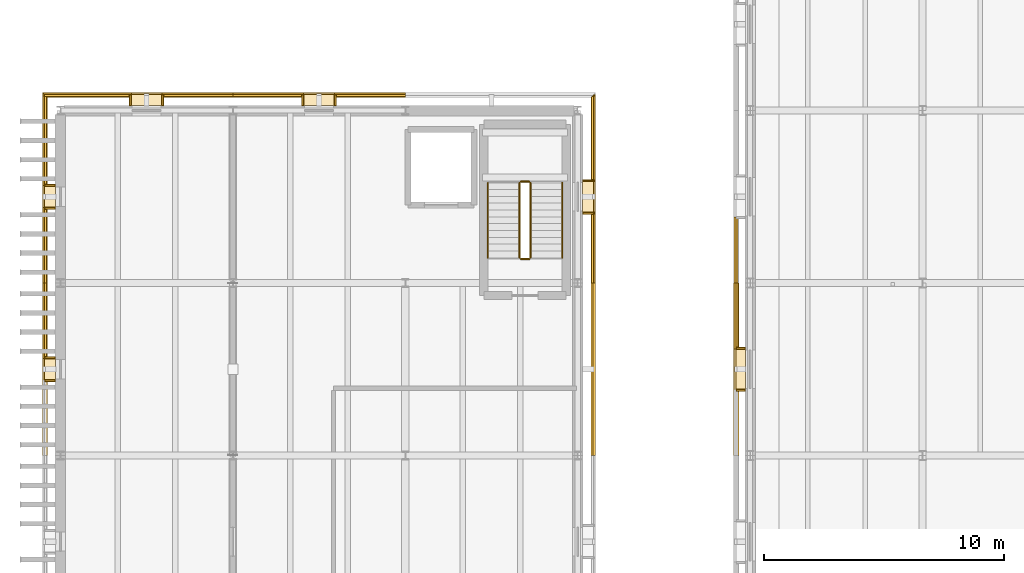
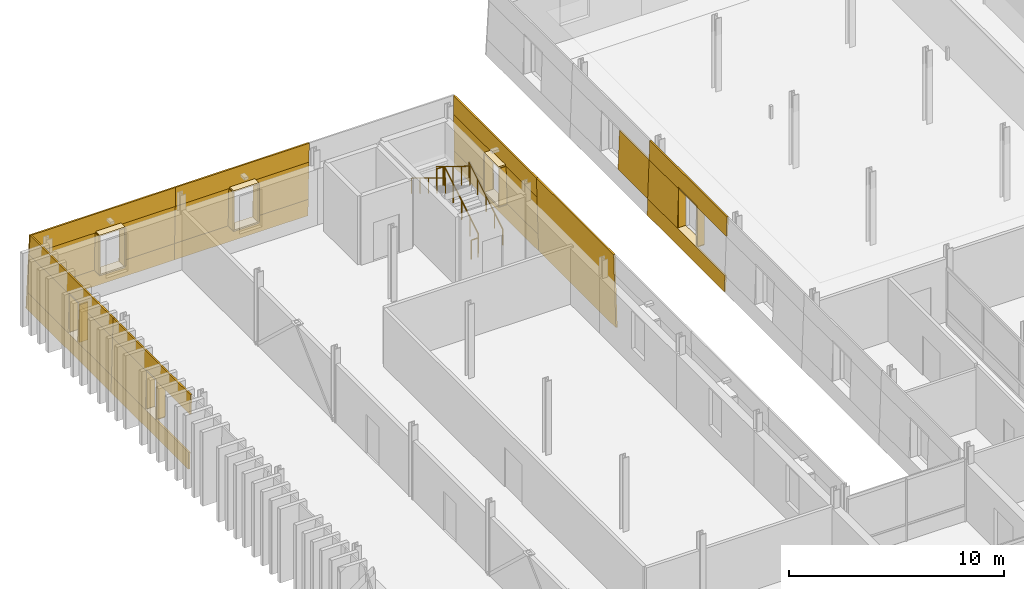
# One storey, part 102 of 115: 48 coverings, 6 railings.
"""IFC4 building model written with IfcOpenShell, lengths in metres."""

from ifc_helpers import new_model, si_unit, direction, frame, origin, origin_2d, place, context, subcontext, project, spatial, polyline, circle, outline, extrude, material, layer, layer_set, type_object, element, save


model = new_model("IFC4")

# Units and contexts
model_context = context("Model", 3, precision=1e-05, world=origin(), true_north=direction((0.0, 1.0)))
body_context = subcontext(model_context, "Body", "Model", "MODEL_VIEW")
ifc_project = project(units=[si_unit("LENGTHUNIT", "METRE"), si_unit("AREAUNIT", "SQUARE_METRE"), si_unit("VOLUMEUNIT", "CUBIC_METRE"), si_unit("PLANEANGLEUNIT", "RADIAN"), si_unit("MASSUNIT", "GRAM", prefix="KILO")], contexts=[model_context])

# Site, building, storey
site_placement = place(None, origin())
site = spatial("IfcSite", under=ifc_project, at=site_placement, CompositionType="ELEMENT")
building_placement = place(site_placement, origin())
building = spatial("IfcBuilding", under=site, at=building_placement, Name="Narikvali Park Central Library", CompositionType="ELEMENT")
storey_placement = place(building_placement, frame((0.0, 0.0, 10.199951171875)))
storey = spatial("IfcBuildingStorey", under=building, at=storey_placement, Name="L02", CompositionType="ELEMENT", Elevation=10.199951171875)

# Coverings
ifc_material_1 = material(Name="White Honed Limestone Cladding", Category="masonry")
ifc_layer_1 = layer(ifc_material_1, 0.0849609375, Name="White Honed Limestone Cladding")
ifc_layer_set_1 = layer_set([ifc_layer_1], Name="White Honed Limestone Cladding")
covering_type_1 = type_object("IfcCoveringType", Name="Battered White Limestone Facade Cladding Panel", PredefinedType="CLADDING", material=ifc_layer_set_1)
covering_1_placement = place(storey_placement, frame((28.134521484375, 103.56005859375, 0.920166015625), z_axis=(-0.999431408105, 0.0, 0.033717361898), x_axis=(0.0, -1.0, 0.0)))
element("IfcCovering", 1, at=covering_1_placement, inside=storey, type_object=covering_type_1, Name="V4 L02 W Battered Limestone Jamb Pier R B02", PredefinedType="CLADDING", context=body_context, shape_type="SweptSolid", body=[
    extrude(outline(polyline([(0.0, 0.0), (2.760009765625, 0.0), (2.760009765625, 2.2012027579225295), (0.0, 2.2012027579225295), (0.0, 0.0)])), origin(), (0.0, 0.0, -1.0), 0.0849609375),
])
covering_2_placement = place(storey_placement, frame((28.103515625, 100.800048828125, 0.0), z_axis=(-0.999432774777, 0.0, 0.03367682738), x_axis=(0.0, -1.0, 0.0)))
element("IfcCovering", 2, at=covering_2_placement, inside=storey, type_object=covering_type_1, Name="V4 L02 W Battered Limestone Spandrel B03", PredefinedType="CLADDING", context=body_context, shape_type="SweptSolid", body=[
    extrude(outline(polyline([(0.0, 0.0), (7.199951171875, 0.0), (7.199951171875, 0.9206882532251458), (0.0, 0.9206882532251458), (0.0, 0.0)])), origin(), (0.0, 0.0, -1.0), 0.0849609375),
])
covering_3_placement = place(storey_placement, frame((28.208740234375, 100.800048828125, 3.1201171875), z_axis=(-0.999433057245, 0.0, 0.033668443484), x_axis=(0.0, -1.0, 0.0)))
element("IfcCovering", 3, at=covering_3_placement, inside=storey, type_object=covering_type_1, Name="V4 L02 W Battered Limestone Lintel B03", PredefinedType="CLADDING", context=body_context, shape_type="SweptSolid", body=[
    extrude(outline(polyline([(0.0, 0.0), (7.199951171875, 0.0), (7.199951171875, 1.0804465357109745), (0.0, 1.0804465357109745), (0.0, 0.0)])), origin(), (0.0, 0.0, -1.0), 0.0849609375),
])
covering_4_placement = place(storey_placement, frame((28.134521484375, 100.800048828125, 0.920166015625), z_axis=(-0.999431408105, 0.0, 0.033717361898), x_axis=(0.0, -1.0, 0.0)))
element("IfcCovering", 4, at=covering_4_placement, inside=storey, type_object=covering_type_1, Name="V4 L02 W Battered Limestone Jamb Pier L B03", PredefinedType="CLADDING", context=body_context, shape_type="SweptSolid", body=[
    extrude(outline(polyline([(0.0, 0.0), (2.760009765625, 0.0), (2.760009765625, 2.2012027579225295), (0.0, 2.2012027579225295), (0.0, 0.0)])), origin(), (0.0, 0.0, -1.0), 0.0849609375),
])
covering_5_placement = place(storey_placement, frame((22.3505859375, 93.60009765625, 0.0), z_axis=(0.999597895197, 0.0, 0.0283557387), x_axis=(0.0, 1.0, 0.0)))
element("IfcCovering", 5, at=covering_5_placement, inside=storey, type_object=covering_type_1, Name="V5 L02 E Battered Limestone Panel B10", PredefinedType="CLADDING", context=body_context, shape_type="SweptSolid", body=[
    extrude(outline(polyline([(0.0, 0.0), (7.199951171875, 0.0), (7.199951171875, 4.201640671768538), (0.0, 4.201640671768538), (0.0, 0.0)])), origin(), (0.0, 0.0, -1.0), 0.0849609375),
])
covering_6_placement = place(storey_placement, frame((22.3505859375, 100.800048828125, 0.0), z_axis=(0.999600632529, 0.0, 0.02825907725), x_axis=(0.0, 1.0, 0.0)))
element("IfcCovering", 6, at=covering_6_placement, inside=storey, type_object=covering_type_1, Name="V5 L02 E Battered Limestone Spandrel B11", PredefinedType="CLADDING", context=body_context, shape_type="SweptSolid", body=[
    extrude(outline(polyline([(0.0, 0.0), (7.865478515625, 0.0), (7.838623046875, 0.950330703044192), (0.0, 0.950330703044192), (0.0, 0.0)])), origin(), (0.0, 0.0, -1.0), 0.0849609375),
])
covering_7_placement = place(storey_placement, frame((22.2626953125, 100.800048828125, 3.10009765625), z_axis=(0.999596598509, 0.0, 0.028401412788), x_axis=(0.0, 1.0, 0.0)))
element("IfcCovering", 7, at=covering_7_placement, inside=storey, type_object=covering_type_1, Name="V5 L02 E Battered Limestone Lintel B11", PredefinedType="CLADDING", context=body_context, shape_type="SweptSolid", body=[
    extrude(outline(polyline([(0.0, 0.0), (7.777587890625, 0.0), (7.746337890625, 1.1002973772270257), (0.0, 1.1002973772270257), (0.0, 0.0)])), origin(), (0.0, 0.0, -1.0), 0.0849609375),
])
covering_8_placement = place(storey_placement, frame((22.32373046875, 100.800048828125, 0.949951171875), z_axis=(0.99959734633, 0.0, 0.028375080797), x_axis=(0.0, 1.0, 0.0)))
element("IfcCovering", 8, at=covering_8_placement, inside=storey, type_object=covering_type_1, Name="V5 L02 E Battered Limestone Jamb Pier L B11", PredefinedType="CLADDING", context=body_context, shape_type="SweptSolid", body=[
    extrude(outline(polyline([(0.0, 0.0), (2.9599609375, 0.0), (2.9599609375, 2.1510125974918495), (0.0, 2.1510125974918495), (0.0, 0.0)])), origin(), (0.0, 0.0, -1.0), 0.0849609375),
])
covering_9_placement = place(storey_placement, frame((22.32373046875, 105.0400390625, 0.949951171875), z_axis=(0.99959734633, 0.0, 0.028375080797), x_axis=(0.0, 1.0, 0.0)))
element("IfcCovering", 9, at=covering_9_placement, inside=storey, type_object=covering_type_1, Name="V5 L02 E Battered Limestone Jamb Pier R B11", PredefinedType="CLADDING", context=body_context, shape_type="SweptSolid", body=[
    extrude(outline(polyline([(0.0, 0.0), (3.5986328125, 0.0), (3.53759765625, 2.1510125974918495), (0.0, 2.1510125974918495), (0.0, 0.0)])), origin(), (0.0, 0.0, -1.0), 0.0849609375),
])
covering_10_placement = place(storey_placement, frame((14.39990234375, 108.75048828125, 0.0), z_axis=(0.0, 0.999600632529, 0.02825907725), x_axis=(-1.0, 0.0, 0.0)))
element("IfcCovering", 10, at=covering_10_placement, inside=storey, type_object=covering_type_1, Name="V5 L02 N Battered Limestone Spandrel B02", PredefinedType="CLADDING", context=body_context, shape_type="SweptSolid", body=[
    extrude(outline(polyline([(0.0, 0.0), (7.199951171875, 0.0), (7.199951171875, 0.9503307030441919), (0.0, 0.9503307030441919), (0.0, 0.0)])), origin(), (0.0, 0.0, -1.0), 0.0849609375),
])
covering_11_placement = place(storey_placement, frame((14.39990234375, 108.66259765625, 3.10009765625), z_axis=(0.0, 0.999602873297, 0.028179703642), x_axis=(-1.0, 0.0, 0.0)))
element("IfcCovering", 11, at=covering_11_placement, inside=storey, type_object=covering_type_1, Name="V5 L02 N Battered Limestone Lintel B02", PredefinedType="CLADDING", context=body_context, shape_type="SweptSolid", body=[
    extrude(outline(polyline([(0.0, 0.0), (7.199951171875, 0.0), (7.199951171875, 1.1002904703523768), (0.0, 1.1002904703523768), (0.0, 0.0)])), origin(), (0.0, 0.0, -1.0), 0.0849609375),
])
for number, where, z_axis, x_axis, name in (
    (12, (14.39990234375, 108.7236328125, 0.949951171875), (0.0, 0.99959734633, 0.028375080797), (-1.0, 0.0, 0.0), "V5 L02 N Battered Limestone Jamb Pier L B02"),
    (13, (10.159912109375, 108.7236328125, 0.949951171875), (0.0, 0.99959734633, 0.028375080797), (-1.0, 0.0, 0.0), "V5 L02 N Battered Limestone Jamb Pier R B02"),
):
    element("IfcCovering", number, at=place(storey_placement, frame(where, z_axis=z_axis, x_axis=x_axis)), inside=storey, type_object=covering_type_1, Name=name, PredefinedType="CLADDING", context=body_context, shape_type="SweptSolid", body=[
        extrude(outline(polyline([(0.0, 0.0), (2.9599609375, 0.0), (2.9599609375, 2.1510125974918495), (0.0, 2.1510125974918495), (0.0, 0.0)])), origin(), (0.0, 0.0, -1.0), 0.0849609375),
    ])
covering_12_placement = place(storey_placement, frame((7.199951171875, 108.75048828125, 0.0), z_axis=(0.0, 0.999600632529, 0.02825907725), x_axis=(-1.0, 0.0, 0.0)))
element("IfcCovering", 14, at=covering_12_placement, inside=storey, type_object=covering_type_1, Name="V5 L02 N Battered Limestone Spandrel B03", PredefinedType="CLADDING", context=body_context, shape_type="SweptSolid", body=[
    extrude(outline(polyline([(0.0, 0.0), (7.950439453125, 0.0), (7.923583984375, 0.9503307030441919), (0.0, 0.9503307030441919), (0.0, 0.0)])), origin(), (0.0, 0.0, -1.0), 0.0849609375),
])
covering_13_placement = place(storey_placement, frame((7.199951171875, 108.66259765625, 3.10009765625), z_axis=(0.0, 0.999602873297, 0.028179703642), x_axis=(-1.0, 0.0, 0.0)))
element("IfcCovering", 15, at=covering_13_placement, inside=storey, type_object=covering_type_1, Name="V5 L02 N Battered Limestone Lintel B03", PredefinedType="CLADDING", context=body_context, shape_type="SweptSolid", body=[
    extrude(outline(polyline([(0.0, 0.0), (7.862548828125, 0.0), (7.83154296875, 1.1002904703523768), (0.0, 1.1002904703523768), (0.0, 0.0)])), origin(), (0.0, 0.0, -1.0), 0.0849609375),
])
covering_14_placement = place(storey_placement, frame((7.199951171875, 108.7236328125, 0.949951171875), z_axis=(0.0, 0.99959734633, 0.028375080797), x_axis=(-1.0, 0.0, 0.0)))
element("IfcCovering", 16, at=covering_14_placement, inside=storey, type_object=covering_type_1, Name="V5 L02 N Battered Limestone Jamb Pier L B03", PredefinedType="CLADDING", context=body_context, shape_type="SweptSolid", body=[
    extrude(outline(polyline([(0.0, 0.0), (2.9599609375, 0.0), (2.9599609375, 2.1510125974918495), (0.0, 2.1510125974918495), (0.0, 0.0)])), origin(), (0.0, 0.0, -1.0), 0.0849609375),
])
covering_15_placement = place(storey_placement, frame((2.9599609375, 108.7236328125, 0.949951171875), z_axis=(0.0, 0.99959734633, 0.028375080797), x_axis=(-1.0, 0.0, 0.0)))
element("IfcCovering", 17, at=covering_15_placement, inside=storey, type_object=covering_type_1, Name="V5 L02 N Battered Limestone Jamb Pier R B03", PredefinedType="CLADDING", context=body_context, shape_type="SweptSolid", body=[
    extrude(outline(polyline([(0.0, 0.0), (3.68359375, 0.0), (3.62255859375, 2.1510125974918495), (0.0, 2.1510125974918495), (0.0, 0.0)])), origin(), (0.0, 0.0, -1.0), 0.0849609375),
])
covering_16_placement = place(storey_placement, frame((-0.75048828125, 108.66552734375, 0.0), z_axis=(-0.999600632529, 0.0, 0.02825907725), x_axis=(0.0, -1.0, 0.0)))
element("IfcCovering", 18, at=covering_16_placement, inside=storey, type_object=covering_type_1, Name="V5 L02 W Battered Limestone Spandrel B01", PredefinedType="CLADDING", context=body_context, shape_type="SweptSolid", body=[
    extrude(outline(polyline([(0.0, 0.0), (7.865478515625, 0.0), (7.865478515625, 0.950330703044192), (0.02685546875, 0.950330703044192), (0.0, 0.0)])), origin(), (0.0, 0.0, -1.0), 0.0849609375),
])
covering_17_placement = place(storey_placement, frame((-0.66259765625, 108.57763671875, 3.10009765625), z_axis=(-0.999602873297, 0.0, 0.028179703642), x_axis=(0.0, -1.0, 0.0)))
element("IfcCovering", 19, at=covering_17_placement, inside=storey, type_object=covering_type_1, Name="V5 L02 W Battered Limestone Lintel B01", PredefinedType="CLADDING", context=body_context, shape_type="SweptSolid", body=[
    extrude(outline(polyline([(0.0, 0.0), (7.777587890625, 0.0), (7.777587890625, 1.1002904703523768), (0.03125, 1.1002904703523768), (0.0, 0.0)])), origin(), (0.0, 0.0, -1.0), 0.0849609375),
])
covering_18_placement = place(storey_placement, frame((-0.7236328125, 108.638671875, 0.949951171875), z_axis=(-0.99959734633, 0.0, 0.028375080797), x_axis=(0.0, -1.0, 0.0)))
element("IfcCovering", 20, at=covering_18_placement, inside=storey, type_object=covering_type_1, Name="V5 L02 W Battered Limestone Jamb Pier L B01", PredefinedType="CLADDING", context=body_context, shape_type="SweptSolid", body=[
    extrude(outline(polyline([(0.0, 0.0), (3.798583984375, 0.0), (3.798583984375, 2.1510125974918495), (0.06103515625, 2.1510125974918495), (0.0, 0.0)])), origin(), (0.0, 0.0, -1.0), 0.0849609375),
])
covering_19_placement = place(storey_placement, frame((-0.7236328125, 103.9599609375, 0.949951171875), z_axis=(-0.99959734633, 0.0, 0.028375080797), x_axis=(0.0, -1.0, 0.0)))
element("IfcCovering", 21, at=covering_19_placement, inside=storey, type_object=covering_type_1, Name="V5 L02 W Battered Limestone Jamb Pier R B01", PredefinedType="CLADDING", context=body_context, shape_type="SweptSolid", body=[
    extrude(outline(polyline([(0.0, 0.0), (3.159912109375, 0.0), (3.159912109375, 2.1510125974918495), (0.0, 2.1510125974918495), (0.0, 0.0)])), origin(), (0.0, 0.0, -1.0), 0.0849609375),
])
covering_20_placement = place(storey_placement, frame((-0.75048828125, 100.800048828125, 0.0), z_axis=(-0.999600632529, 0.0, 0.02825907725), x_axis=(0.0, -1.0, 0.0)))
element("IfcCovering", 22, at=covering_20_placement, inside=storey, type_object=covering_type_1, Name="V5 L02 W Battered Limestone Spandrel B02", PredefinedType="CLADDING", context=body_context, shape_type="SweptSolid", body=[
    extrude(outline(polyline([(0.0, 0.0), (7.199951171875, 0.0), (7.199951171875, 0.9503307030441919), (0.0, 0.9503307030441919), (0.0, 0.0)])), origin(), (0.0, 0.0, -1.0), 0.0849609375),
])
covering_21_placement = place(storey_placement, frame((-0.66259765625, 100.800048828125, 3.10009765625), z_axis=(-0.999602873297, 0.0, 0.028179703642), x_axis=(0.0, -1.0, 0.0)))
element("IfcCovering", 23, at=covering_21_placement, inside=storey, type_object=covering_type_1, Name="V5 L02 W Battered Limestone Lintel B02", PredefinedType="CLADDING", context=body_context, shape_type="SweptSolid", body=[
    extrude(outline(polyline([(0.0, 0.0), (7.199951171875, 0.0), (7.199951171875, 1.1002904703523768), (0.0, 1.1002904703523768), (0.0, 0.0)])), origin(), (0.0, 0.0, -1.0), 0.0849609375),
])
covering_22_placement = place(storey_placement, frame((-0.7236328125, 100.800048828125, 0.949951171875), z_axis=(-0.99959734633, 0.0, 0.028375080797), x_axis=(0.0, -1.0, 0.0)))
element("IfcCovering", 24, at=covering_22_placement, inside=storey, type_object=covering_type_1, Name="V5 L02 W Battered Limestone Jamb Pier L B02", PredefinedType="CLADDING", context=body_context, shape_type="SweptSolid", body=[
    extrude(outline(polyline([(0.0, 0.0), (3.16015625, 0.0), (3.16015625, 2.1510125974918495), (0.0, 2.1510125974918495), (0.0, 0.0)])), origin(), (0.0, 0.0, -1.0), 0.0849609375),
])
ifc_layer_2 = layer(ifc_material_1, 0.080078125, Name="White Honed Limestone Cladding")
ifc_layer_set_2 = layer_set([ifc_layer_2], Name="White Honed Limestone Cladding")
covering_type_2 = type_object("IfcCoveringType", Name="Deep Carved White Limestone Window Reveal", PredefinedType="CLADDING", material=ifc_layer_set_2)
covering_23_placement = place(storey_placement, frame((0.0, 0.0, 3.1201171875)))
element("IfcCovering", 25, at=covering_23_placement, inside=storey, type_object=covering_type_2, Name="Deep Stone Reveal Head V4-RVL-L02-W-B03", PredefinedType="CLADDING", context=body_context, shape_type="SweptSolid", body=[
    extrude(outline(polyline([(28.594970703125, 98.080078125), (28.594970703125, 96.320068359375), (28.208740234375, 96.320068359375), (28.208740234375, 98.080078125), (28.594970703125, 98.080078125)])), origin(), (0.0, 0.0, 1.0), 0.079833984375),
])
covering_24_placement = place(storey_placement, frame((0.0, 0.0, 0.840087890625)))
element("IfcCovering", 26, at=covering_24_placement, inside=storey, type_object=covering_type_2, Name="Deep Stone Reveal Sill V4-RVL-L02-W-B03", PredefinedType="CLADDING", context=body_context, shape_type="SweptSolid", body=[
    extrude(outline(polyline([(28.594970703125, 98.080078125), (28.594970703125, 96.320068359375), (28.134521484375, 96.320068359375), (28.134521484375, 98.080078125), (28.594970703125, 98.080078125)])), origin(), (0.0, 0.0, 1.0), 0.080078125),
])
covering_25_placement = place(storey_placement, frame((0.0, 0.0, 0.920166015625)))
element("IfcCovering", 27, at=covering_25_placement, inside=storey, type_object=covering_type_2, Name="Deep Stone Reveal Jamb L V4-RVL-L02-W-B03", PredefinedType="CLADDING", context=body_context, shape_type="SweptSolid", body=[
    extrude(outline(polyline([(28.594970703125, 98.1201171875), (28.594970703125, 98.0400390625), (28.208740234375, 98.0400390625), (28.208740234375, 98.1201171875), (28.594970703125, 98.1201171875)])), origin(), (0.0, 0.0, 1.0), 2.199951171875),
])
covering_26_placement = place(storey_placement, frame((0.0, 0.0, 0.920166015625)))
element("IfcCovering", 28, at=covering_26_placement, inside=storey, type_object=covering_type_2, Name="Deep Stone Reveal Jamb R V4-RVL-L02-W-B03", PredefinedType="CLADDING", context=body_context, shape_type="SweptSolid", body=[
    extrude(outline(polyline([(28.594970703125, 96.360107421875), (28.594970703125, 96.280029296875), (28.208740234375, 96.280029296875), (28.208740234375, 96.360107421875), (28.594970703125, 96.360107421875)])), origin(), (0.0, 0.0, 1.0), 2.199951171875),
])
covering_27_placement = place(storey_placement, frame((0.0, 0.0, 3.10009765625)))
element("IfcCovering", 29, at=covering_27_placement, inside=storey, type_object=covering_type_2, Name="Deep Stone Reveal Head V5-RVL-L02-E-B11", PredefinedType="CLADDING", context=body_context, shape_type="SweptSolid", body=[
    extrude(outline(polyline([(21.804931640625, 103.719970703125), (21.804931640625, 105.080078125), (22.2626953125, 105.080078125), (22.2626953125, 103.719970703125), (21.804931640625, 103.719970703125)])), origin(), (0.0, 0.0, 1.0), 0.079833984375),
])
covering_28_placement = place(storey_placement, frame((0.0, 0.0, 0.8701171875)))
element("IfcCovering", 30, at=covering_28_placement, inside=storey, type_object=covering_type_2, Name="Deep Stone Reveal Sill V5-RVL-L02-E-B11", PredefinedType="CLADDING", context=body_context, shape_type="SweptSolid", body=[
    extrude(outline(polyline([(21.804931640625, 103.719970703125), (21.804931640625, 105.080078125), (22.32373046875, 105.080078125), (22.32373046875, 103.719970703125), (21.804931640625, 103.719970703125)])), origin(), (0.0, 0.0, 1.0), 0.079833984375),
])
covering_29_placement = place(storey_placement, frame((0.0, 0.0, 0.949951171875)))
element("IfcCovering", 31, at=covering_29_placement, inside=storey, type_object=covering_type_2, Name="Deep Stone Reveal Jamb L V5-RVL-L02-E-B11", PredefinedType="CLADDING", context=body_context, shape_type="SweptSolid", body=[
    extrude(outline(polyline([(21.804931640625, 103.679931640625), (21.804931640625, 103.760009765625), (22.2626953125, 103.760009765625), (22.2626953125, 103.679931640625), (21.804931640625, 103.679931640625)])), origin(), (0.0, 0.0, 1.0), 2.150146484375),
])
covering_30_placement = place(storey_placement, frame((0.0, 0.0, 0.949951171875)))
element("IfcCovering", 32, at=covering_30_placement, inside=storey, type_object=covering_type_2, Name="Deep Stone Reveal Jamb R V5-RVL-L02-E-B11", PredefinedType="CLADDING", context=body_context, shape_type="SweptSolid", body=[
    extrude(outline(polyline([(21.804931640625, 105.0400390625), (21.804931640625, 105.1201171875), (22.2626953125, 105.1201171875), (22.2626953125, 105.0400390625), (21.804931640625, 105.0400390625)])), origin(), (0.0, 0.0, 1.0), 2.150146484375),
])
covering_31_placement = place(storey_placement, frame((0.0, 0.0, 3.10009765625)))
element("IfcCovering", 33, at=covering_31_placement, inside=storey, type_object=covering_type_2, Name="Deep Stone Reveal Head V5-RVL-L02-N-B02", PredefinedType="CLADDING", context=body_context, shape_type="SweptSolid", body=[
    extrude(outline(polyline([(11.47998046875, 108.205078125), (10.1201171875, 108.205078125), (10.1201171875, 108.66259765625), (11.47998046875, 108.66259765625), (11.47998046875, 108.205078125)])), origin(), (0.0, 0.0, 1.0), 0.079833984375),
])
covering_32_placement = place(storey_placement, frame((0.0, 0.0, 0.8701171875)))
element("IfcCovering", 34, at=covering_32_placement, inside=storey, type_object=covering_type_2, Name="Deep Stone Reveal Sill V5-RVL-L02-N-B02", PredefinedType="CLADDING", context=body_context, shape_type="SweptSolid", body=[
    extrude(outline(polyline([(11.47998046875, 108.205078125), (10.1201171875, 108.205078125), (10.1201171875, 108.7236328125), (11.47998046875, 108.7236328125), (11.47998046875, 108.205078125)])), origin(), (0.0, 0.0, 1.0), 0.079833984375),
])
covering_33_placement = place(storey_placement, frame((0.0, 0.0, 0.949951171875)))
element("IfcCovering", 35, at=covering_33_placement, inside=storey, type_object=covering_type_2, Name="Deep Stone Reveal Jamb L V5-RVL-L02-N-B02", PredefinedType="CLADDING", context=body_context, shape_type="SweptSolid", body=[
    extrude(outline(polyline([(11.52001953125, 108.205078125), (11.43994140625, 108.205078125), (11.43994140625, 108.66259765625), (11.52001953125, 108.66259765625), (11.52001953125, 108.205078125)])), origin(), (0.0, 0.0, 1.0), 2.150146484375),
])
covering_34_placement = place(storey_placement, frame((0.0, 0.0, 0.949951171875)))
element("IfcCovering", 36, at=covering_34_placement, inside=storey, type_object=covering_type_2, Name="Deep Stone Reveal Jamb R V5-RVL-L02-N-B02", PredefinedType="CLADDING", context=body_context, shape_type="SweptSolid", body=[
    extrude(outline(polyline([(10.159912109375, 108.205078125), (10.080078125, 108.205078125), (10.080078125, 108.66259765625), (10.159912109375, 108.66259765625), (10.159912109375, 108.205078125)])), origin(), (0.0, 0.0, 1.0), 2.150146484375),
])
covering_35_placement = place(storey_placement, frame((0.0, 0.0, 3.10009765625)))
element("IfcCovering", 37, at=covering_35_placement, inside=storey, type_object=covering_type_2, Name="Deep Stone Reveal Head V5-RVL-L02-N-B03", PredefinedType="CLADDING", context=body_context, shape_type="SweptSolid", body=[
    extrude(outline(polyline([(4.280029296875, 108.205078125), (2.919921875, 108.205078125), (2.919921875, 108.66259765625), (4.280029296875, 108.66259765625), (4.280029296875, 108.205078125)])), origin(), (0.0, 0.0, 1.0), 0.079833984375),
])
covering_36_placement = place(storey_placement, frame((0.0, 0.0, 0.8701171875)))
element("IfcCovering", 38, at=covering_36_placement, inside=storey, type_object=covering_type_2, Name="Deep Stone Reveal Sill V5-RVL-L02-N-B03", PredefinedType="CLADDING", context=body_context, shape_type="SweptSolid", body=[
    extrude(outline(polyline([(4.280029296875, 108.205078125), (2.919921875, 108.205078125), (2.919921875, 108.7236328125), (4.280029296875, 108.7236328125), (4.280029296875, 108.205078125)])), origin(), (0.0, 0.0, 1.0), 0.079833984375),
])
covering_37_placement = place(storey_placement, frame((0.0, 0.0, 0.949951171875)))
element("IfcCovering", 39, at=covering_37_placement, inside=storey, type_object=covering_type_2, Name="Deep Stone Reveal Jamb L V5-RVL-L02-N-B03", PredefinedType="CLADDING", context=body_context, shape_type="SweptSolid", body=[
    extrude(outline(polyline([(4.320068359375, 108.205078125), (4.239990234375, 108.205078125), (4.239990234375, 108.66259765625), (4.320068359375, 108.66259765625), (4.320068359375, 108.205078125)])), origin(), (0.0, 0.0, 1.0), 2.150146484375),
])
covering_38_placement = place(storey_placement, frame((0.0, 0.0, 0.949951171875)))
element("IfcCovering", 40, at=covering_38_placement, inside=storey, type_object=covering_type_2, Name="Deep Stone Reveal Jamb R V5-RVL-L02-N-B03", PredefinedType="CLADDING", context=body_context, shape_type="SweptSolid", body=[
    extrude(outline(polyline([(2.9599609375, 108.205078125), (2.8798828125, 108.205078125), (2.8798828125, 108.66259765625), (2.9599609375, 108.66259765625), (2.9599609375, 108.205078125)])), origin(), (0.0, 0.0, 1.0), 2.150146484375),
])
covering_39_placement = place(storey_placement, frame((0.0, 0.0, 3.10009765625)))
element("IfcCovering", 41, at=covering_39_placement, inside=storey, type_object=covering_type_2, Name="Deep Stone Reveal Head V5-RVL-L02-W-B01", PredefinedType="CLADDING", context=body_context, shape_type="SweptSolid", body=[
    extrude(outline(polyline([(-0.205078125, 104.8798828125), (-0.205078125, 103.919921875), (-0.66259765625, 103.919921875), (-0.66259765625, 104.8798828125), (-0.205078125, 104.8798828125)])), origin(), (0.0, 0.0, 1.0), 0.079833984375),
])
covering_40_placement = place(storey_placement, frame((0.0, 0.0, 0.8701171875)))
element("IfcCovering", 42, at=covering_40_placement, inside=storey, type_object=covering_type_2, Name="Deep Stone Reveal Sill V5-RVL-L02-W-B01", PredefinedType="CLADDING", context=body_context, shape_type="SweptSolid", body=[
    extrude(outline(polyline([(-0.205078125, 104.8798828125), (-0.205078125, 103.919921875), (-0.7236328125, 103.919921875), (-0.7236328125, 104.8798828125), (-0.205078125, 104.8798828125)])), origin(), (0.0, 0.0, 1.0), 0.079833984375),
])
covering_41_placement = place(storey_placement, frame((0.0, 0.0, 0.949951171875)))
element("IfcCovering", 43, at=covering_41_placement, inside=storey, type_object=covering_type_2, Name="Deep Stone Reveal Jamb L V5-RVL-L02-W-B01", PredefinedType="CLADDING", context=body_context, shape_type="SweptSolid", body=[
    extrude(outline(polyline([(-0.205078125, 104.919921875), (-0.205078125, 104.840087890625), (-0.66259765625, 104.840087890625), (-0.66259765625, 104.919921875), (-0.205078125, 104.919921875)])), origin(), (0.0, 0.0, 1.0), 2.150146484375),
])
covering_42_placement = place(storey_placement, frame((0.0, 0.0, 0.949951171875)))
element("IfcCovering", 44, at=covering_42_placement, inside=storey, type_object=covering_type_2, Name="Deep Stone Reveal Jamb R V5-RVL-L02-W-B01", PredefinedType="CLADDING", context=body_context, shape_type="SweptSolid", body=[
    extrude(outline(polyline([(-0.205078125, 103.9599609375), (-0.205078125, 103.8798828125), (-0.66259765625, 103.8798828125), (-0.66259765625, 103.9599609375), (-0.205078125, 103.9599609375)])), origin(), (0.0, 0.0, 1.0), 2.150146484375),
])
covering_43_placement = place(storey_placement, frame((0.0, 0.0, 3.10009765625)))
element("IfcCovering", 45, at=covering_43_placement, inside=storey, type_object=covering_type_2, Name="Deep Stone Reveal Head V5-RVL-L02-W-B02", PredefinedType="CLADDING", context=body_context, shape_type="SweptSolid", body=[
    extrude(outline(polyline([(-0.205078125, 97.679931640625), (-0.205078125, 96.719970703125), (-0.66259765625, 96.719970703125), (-0.66259765625, 97.679931640625), (-0.205078125, 97.679931640625)])), origin(), (0.0, 0.0, 1.0), 0.079833984375),
])
covering_44_placement = place(storey_placement, frame((0.0, 0.0, 0.8701171875)))
element("IfcCovering", 46, at=covering_44_placement, inside=storey, type_object=covering_type_2, Name="Deep Stone Reveal Sill V5-RVL-L02-W-B02", PredefinedType="CLADDING", context=body_context, shape_type="SweptSolid", body=[
    extrude(outline(polyline([(-0.205078125, 97.679931640625), (-0.205078125, 96.719970703125), (-0.7236328125, 96.719970703125), (-0.7236328125, 97.679931640625), (-0.205078125, 97.679931640625)])), origin(), (0.0, 0.0, 1.0), 0.079833984375),
])
covering_45_placement = place(storey_placement, frame((0.0, 0.0, 0.949951171875)))
element("IfcCovering", 47, at=covering_45_placement, inside=storey, type_object=covering_type_2, Name="Deep Stone Reveal Jamb L V5-RVL-L02-W-B02", PredefinedType="CLADDING", context=body_context, shape_type="SweptSolid", body=[
    extrude(outline(polyline([(-0.205078125, 97.719970703125), (-0.205078125, 97.639892578125), (-0.66259765625, 97.639892578125), (-0.66259765625, 97.719970703125), (-0.205078125, 97.719970703125)])), origin(), (0.0, 0.0, 1.0), 2.150146484375),
])
covering_46_placement = place(storey_placement, frame((0.0, 0.0, 0.949951171875)))
element("IfcCovering", 48, at=covering_46_placement, inside=storey, type_object=covering_type_2, Name="Deep Stone Reveal Jamb R V5-RVL-L02-W-B02", PredefinedType="CLADDING", context=body_context, shape_type="SweptSolid", body=[
    extrude(outline(polyline([(-0.205078125, 96.760009765625), (-0.205078125, 96.679931640625), (-0.66259765625, 96.679931640625), (-0.66259765625, 96.760009765625), (-0.205078125, 96.760009765625)])), origin(), (0.0, 0.0, 1.0), 2.150146484375),
])

# Railings
ifc_material_2 = material(Name="Brushed Stainless Steel S355", Category="steel")
ifc_layer_3 = layer(ifc_material_2, 0.044921875, Name="Brushed Stainless Steel S355")
ifc_layer_set_3 = layer_set([ifc_layer_3], Name="Brushed Stainless Steel S355")
railing_type_1 = type_object("IfcRailingType", Name="Stair Tubular Steel Handrail 900", PredefinedType="HANDRAIL", material=ifc_layer_set_3)
railing_1_placement = place(storey_placement, frame((20.949951171875, 101.85009765625, 0.175048828125)))
element("IfcRailing", 49, at=railing_1_placement, inside=storey, type_object=railing_type_1, Name="L02 ST-10 stair handrail 1", PredefinedType="HANDRAIL", context=body_context, shape_type="SweptSolid", body=[
    extrude(circle(Radius=0.02392578125, at=origin_2d()), frame((0.0, 0.0, 0.8759765625), z_axis=(0.0, 0.852166034122, 0.523271488128), x_axis=(-1.0, 0.0, 0.0)), (0.0, 0.0, 1.0), 3.678955078125),
    extrude(circle(Radius=0.02099609375, at=origin_2d()), origin(), (0.0, 0.0, 1.0), 0.851806640625),
    extrude(circle(Radius=0.02099609375, at=origin_2d()), frame((0.0, 0.78369140625, 0.481201171875)), (0.0, 0.0, 1.0), 0.851806640625),
    extrude(circle(Radius=0.02099609375, at=origin_2d()), frame((0.0, 1.5673828125, 0.96240234375)), (0.0, 0.0, 1.0), 0.851806640625),
    extrude(circle(Radius=0.02099609375, at=origin_2d()), frame((0.0, 2.351318359375, 1.44384765625)), (0.0, 0.0, 1.0), 0.851806640625),
    extrude(circle(Radius=0.02099609375, at=origin_2d()), frame((0.0, 3.135009765625, 1.925048828125)), (0.0, 0.0, 1.0), 0.851806640625),
])
railing_2_placement = place(storey_placement, frame((17.85009765625, 104.985107421875, 2.275146484375)))
element("IfcRailing", 50, at=railing_2_placement, inside=storey, type_object=railing_type_1, Name="L02 ST-10 stair handrail 2", PredefinedType="HANDRAIL", context=body_context, shape_type="SweptSolid", body=[
    extrude(circle(Radius=0.02392578125, at=origin_2d()), frame((0.0, 0.0, 0.8759765625), z_axis=(0.0, -0.852195625947, 0.523223293744), x_axis=(1.0, 0.0, 0.0)), (0.0, 0.0, 1.0), 3.6787109375),
    extrude(circle(Radius=0.02099609375, at=origin_2d()), origin(), (0.0, 0.0, 1.0), 0.851806640625),
    extrude(circle(Radius=0.02099609375, at=origin_2d()), frame((0.0, -0.78369140625, 0.481201171875)), (0.0, 0.0, 1.0), 0.851806640625),
    extrude(circle(Radius=0.02099609375, at=origin_2d()), frame((0.0, -1.5673828125, 0.96240234375)), (0.0, 0.0, 1.0), 0.851806640625),
    extrude(circle(Radius=0.02099609375, at=origin_2d()), frame((0.0, -2.351318359375, 1.443603515625)), (0.0, 0.0, 1.0), 0.851806640625),
    extrude(circle(Radius=0.02099609375, at=origin_2d()), frame((0.0, -3.135009765625, 1.9248046875)), (0.0, 0.0, 1.0), 0.851806640625),
])
ifc_material_3 = material(Name="Powder-Coated Steel S275", Category="steel")
ifc_layer_4 = layer(ifc_material_3, 0.050048828125, Name="Powder-Coated Steel S275")
ifc_layer_set_4 = layer_set([ifc_layer_4], Name="Powder-Coated Steel S275")
railing_type_2 = type_object("IfcRailingType", Name="Stair Well Steel Guardrail 1100", PredefinedType="GUARDRAIL", material=ifc_layer_set_4)
railing_3_placement = place(storey_placement, frame((19.6298828125, 101.85009765625, 0.175048828125)))
element("IfcRailing", 51, at=railing_3_placement, inside=storey, type_object=railing_type_2, Name="L02 ST-10 stair guard 1", PredefinedType="GUARDRAIL", context=body_context, shape_type="SweptSolid", body=[
    extrude(circle(Radius=0.02392578125, at=origin_2d()), frame((0.0, 0.0, 1.076171875), z_axis=(0.0, 0.852166034122, 0.523271488128), x_axis=(-1.0, 0.0, 0.0)), (0.0, 0.0, 1.0), 3.678955078125),
    extrude(circle(Radius=0.02099609375, at=origin_2d()), origin(), (0.0, 0.0, 1.0), 1.052001953125),
    extrude(circle(Radius=0.02099609375, at=origin_2d()), frame((0.0, 0.78369140625, 0.481201171875)), (0.0, 0.0, 1.0), 1.052001953125),
    extrude(circle(Radius=0.02099609375, at=origin_2d()), frame((0.0, 1.5673828125, 0.96240234375)), (0.0, 0.0, 1.0), 1.052001953125),
    extrude(circle(Radius=0.02099609375, at=origin_2d()), frame((0.0, 2.351318359375, 1.44384765625)), (0.0, 0.0, 1.0), 1.052001953125),
    extrude(circle(Radius=0.02099609375, at=origin_2d()), frame((0.0, 3.135009765625, 1.925048828125)), (0.0, 0.0, 1.0), 1.052001953125),
])
railing_4_placement = place(storey_placement, frame((19.580078125, 105.034912109375, 2.10009765625)))
element("IfcRailing", 52, at=railing_4_placement, inside=storey, type_object=railing_type_2, Name="L02 ST-10 stair guard 2", PredefinedType="GUARDRAIL", context=body_context, shape_type="SweptSolid", body=[
    extrude(circle(Radius=0.02392578125, at=origin_2d()), frame((0.0, 0.0, 1.076171875), z_axis=(-1.0, 0.0, 0.0), x_axis=(0.0, -1.0, 0.0)), (0.0, 0.0, 1.0), 0.360107421875),
    extrude(circle(Radius=0.02099609375, at=origin_2d()), origin(), (0.0, 0.0, 1.0), 1.052001953125),
    extrude(circle(Radius=0.02099609375, at=origin_2d()), frame((-0.360107421875, 0.0, 0.0)), (0.0, 0.0, 1.0), 1.052001953125),
])
railing_5_placement = place(storey_placement, frame((19.169921875, 104.985107421875, 2.275146484375)))
element("IfcRailing", 53, at=railing_5_placement, inside=storey, type_object=railing_type_2, Name="L02 ST-10 stair guard 3", PredefinedType="GUARDRAIL", context=body_context, shape_type="SweptSolid", body=[
    extrude(circle(Radius=0.02392578125, at=origin_2d()), frame((0.0, 0.0, 1.076171875), z_axis=(0.0, -0.852195625947, 0.523223293744), x_axis=(1.0, 0.0, 0.0)), (0.0, 0.0, 1.0), 3.6787109375),
    extrude(circle(Radius=0.02099609375, at=origin_2d()), origin(), (0.0, 0.0, 1.0), 1.052001953125),
    extrude(circle(Radius=0.02099609375, at=origin_2d()), frame((0.0, -0.78369140625, 0.481201171875)), (0.0, 0.0, 1.0), 1.052001953125),
    extrude(circle(Radius=0.02099609375, at=origin_2d()), frame((0.0, -1.5673828125, 0.96240234375)), (0.0, 0.0, 1.0), 1.052001953125),
    extrude(circle(Radius=0.02099609375, at=origin_2d()), frame((0.0, -2.351318359375, 1.443603515625)), (0.0, 0.0, 1.0), 1.052001953125),
    extrude(circle(Radius=0.02099609375, at=origin_2d()), frame((0.0, -3.135009765625, 1.9248046875)), (0.0, 0.0, 1.0), 1.052001953125),
])
railing_6_placement = place(storey_placement, frame((19.580078125, 101.800048828125, 0.0)))
element("IfcRailing", 54, at=railing_6_placement, inside=storey, type_object=railing_type_2, Name="L02 ST-10 stair guard 4", PredefinedType="GUARDRAIL", context=body_context, shape_type="SweptSolid", body=[
    extrude(circle(Radius=0.02392578125, at=origin_2d()), frame((0.0, 0.0, 1.076171875), z_axis=(-1.0, 0.0, 0.0), x_axis=(0.0, -1.0, 0.0)), (0.0, 0.0, 1.0), 0.360107421875),
    extrude(circle(Radius=0.02099609375, at=origin_2d()), origin(), (0.0, 0.0, 1.0), 1.052001953125),
    extrude(circle(Radius=0.02099609375, at=origin_2d()), frame((-0.360107421875, 0.0, 0.0)), (0.0, 0.0, 1.0), 1.052001953125),
])

save(model, "model.ifc")
